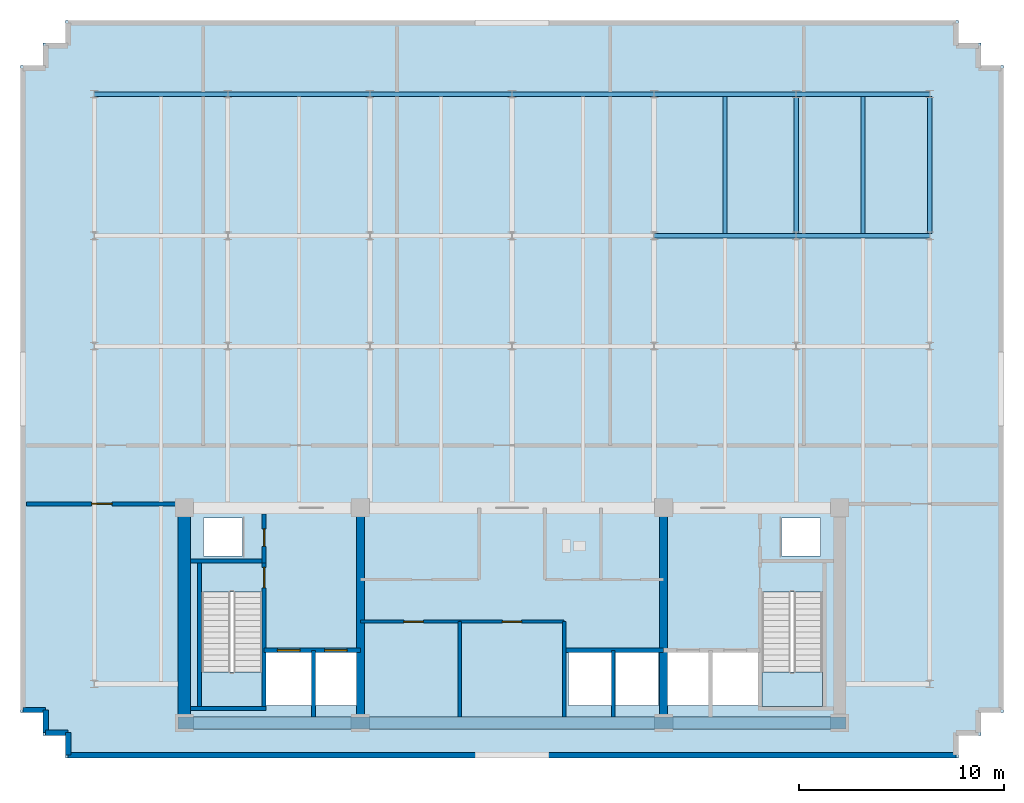
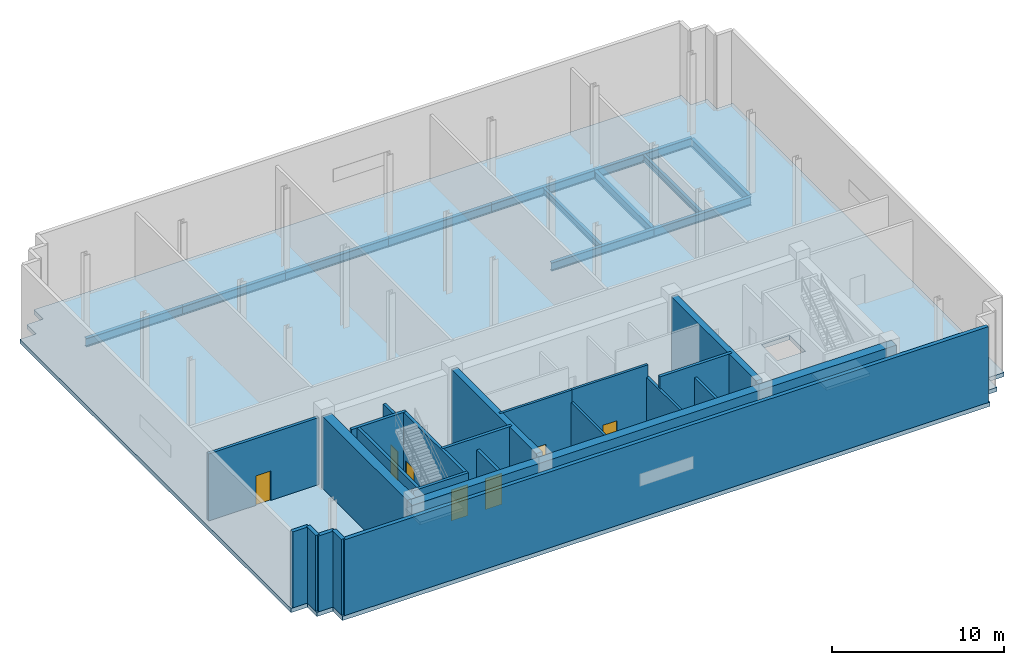
# One storey, part 2 of 7: 23 walls, 12 beams, 7 doors, 3 slabs, 7 openings, 2 elements without a shape of their own.
"""IFC4 building model written with IfcOpenShell, lengths in metres."""

import ifcopenshell
import ifcopenshell.guid

model = None  # the IFC model being written
_history = None  # IfcOwnerHistory: only IFC2X3 demands one
_inside = {}  # id of a spatial element -> (the spatial element, [elements in it])
_under = {}  # id of a project, library or spatial element -> (it, [spatial elements below it])
_declared = {}  # id of a project -> (the project, [libraries it declares])
_typed = {}  # id of a type object -> (the type object, [elements of that type])
_made_of = {}  # id of a material, layer set ... -> (it, [elements and type objects made of it])


def new_model(schema):
    """Start an empty IFC model of exactly this schema.

    Asked for "IFC4X3", IfcOpenShell would pick the latest addendum, in which some entities
    have other attributes; the version numbers below select the first issue.
    IFC2X3 requires an IfcOwnerHistory on every rooted entity: one is made here for all.
    """
    global model, _history
    if schema == "IFC4X3":
        model = ifcopenshell.file(schema_version=(4, 3, 0, 0))
    else:
        model = ifcopenshell.file(schema=schema)
    _inside.clear()
    _under.clear()
    _declared.clear()
    _typed.clear()
    _made_of.clear()
    _history = None
    if model.schema == "IFC2X3":
        org = make("IfcOrganization", Name="unknown")
        user = make(
            "IfcPersonAndOrganization",
            ThePerson=make("IfcPerson", FamilyName="unknown"),
            TheOrganization=org,
        )
        app = make(
            "IfcApplication",
            ApplicationDeveloper=org,
            Version="unknown",
            ApplicationFullName="unknown",
            ApplicationIdentifier="unknown",
        )
        _history = make(
            "IfcOwnerHistory",
            OwningUser=user,
            OwningApplication=app,
            ChangeAction="ADDED",
            CreationDate=0,
        )
    return model


def make(cls, **values):
    """One entity of the class cls with the attributes given. An attribute that is None is left unset."""
    return model.create_entity(
        cls, **{name: value for name, value in values.items() if value is not None}
    )


def rooted(cls, **values):
    """An entity with a GlobalId (a new one), such as an element, a storey or a relation."""
    return make(cls, GlobalId=ifcopenshell.guid.new(), OwnerHistory=_history, **values)


def si_unit(unit_type, name, prefix=None):
    """IfcSIUnit, for example si_unit("LENGTHUNIT", "METRE", prefix="MILLI")."""
    return make("IfcSIUnit", UnitType=unit_type, Prefix=prefix, Name=name)


def assignment(units):
    """IfcUnitAssignment: the units of a project."""
    return None if units is None else make("IfcUnitAssignment", Units=units)


def point(xyz):
    """IfcCartesianPoint."""
    return None if xyz is None else make("IfcCartesianPoint", Coordinates=xyz)


def direction(xyz):
    """IfcDirection."""
    return None if xyz is None else make("IfcDirection", DirectionRatios=xyz)


def frame(location, z_axis=None, x_axis=None):
    """IfcAxis2Placement3D, a coordinate frame: its origin and axes. An axis left out is left unset."""
    return make(
        "IfcAxis2Placement3D",
        Location=point(location),
        Axis=direction(z_axis),
        RefDirection=direction(x_axis),
    )


def frame_2d(location, x_axis=None):
    """IfcAxis2Placement2D, a coordinate frame in the plane: its origin and x axis."""
    return make(
        "IfcAxis2Placement2D", Location=point(location), RefDirection=direction(x_axis)
    )


def origin():
    """The frame at (0, 0, 0) with its axes left unset."""
    return frame((0.0, 0.0, 0.0))


def origin_2d():
    """The frame at (0, 0) in the plane with its x axis left unset."""
    return frame_2d((0.0, 0.0))


def place(relative_to, where):
    """IfcLocalPlacement: puts the frame where relative to a parent placement (None: the world)."""
    return make(
        "IfcLocalPlacement", PlacementRelTo=relative_to, RelativePlacement=where
    )


def context(
    kind, dimensions, precision=None, world=None, true_north=None, identifier=None
):
    """IfcGeometricRepresentationContext, for example the 3D "Model" context."""
    return make(
        "IfcGeometricRepresentationContext",
        ContextIdentifier=identifier,
        ContextType=kind,
        CoordinateSpaceDimension=dimensions,
        Precision=precision,
        WorldCoordinateSystem=world,
        TrueNorth=true_north,
    )


def subcontext(parent, identifier, kind, view, scale=None):
    """IfcGeometricRepresentationSubContext, for example "Body" below "Model"."""
    return make(
        "IfcGeometricRepresentationSubContext",
        ContextIdentifier=identifier,
        ContextType=kind,
        ParentContext=parent,
        TargetScale=scale,
        TargetView=view,
    )


def project(units=None, contexts=None):
    """IfcProject with its units and contexts."""
    return rooted(
        "IfcProject",
        Name="project",
        RepresentationContexts=contexts,
        UnitsInContext=assignment(units),
    )


def spatial(cls, under=None, at=None, **own):
    """A site, building, storey or space (cls), placed at a placement, below another one or the project."""
    s = rooted(cls, ObjectPlacement=at, **own)
    if under is not None:
        _under.setdefault(under.id(), (under, []))[1].append(s)
    return s


def polyline(points):
    """IfcPolyline through the points."""
    return make("IfcPolyline", Points=[point(p) for p in points])


def profile(cls, at=None, kind="AREA", **sizes):
    """A parametric profile (cls). Its sizes go by their IFC names, for example OverallWidth=200.0."""
    return make(cls, ProfileType=kind, Position=at, **sizes)


def rectangle(**sizes):
    """IfcRectangleProfileDef."""
    return profile("IfcRectangleProfileDef", **sizes)


def i_section(**sizes):
    """IfcIShapeProfileDef."""
    return profile("IfcIShapeProfileDef", **sizes)


def outline(outer, holes=None, kind="AREA"):
    """IfcArbitraryClosedProfileDef: a profile drawn as a closed curve; with holes, ...WithVoids."""
    if holes is None:
        return make("IfcArbitraryClosedProfileDef", ProfileType=kind, OuterCurve=outer)
    return make(
        "IfcArbitraryProfileDefWithVoids",
        ProfileType=kind,
        OuterCurve=outer,
        InnerCurves=holes,
    )


def extrude(swept, where, along, depth):
    """IfcExtrudedAreaSolid: the profile swept, set in the frame where, extruded along a direction by depth."""
    return make(
        "IfcExtrudedAreaSolid",
        SweptArea=swept,
        Position=where,
        ExtrudedDirection=direction(along),
        Depth=depth,
    )


def shape(context_of_items, identifier, shape_type, items):
    """IfcShapeRepresentation: the items that make up one representation, for example the "Body"."""
    return make(
        "IfcShapeRepresentation",
        ContextOfItems=context_of_items,
        RepresentationIdentifier=identifier,
        RepresentationType=shape_type,
        Items=items,
    )


def material(Name=None, Category=None):
    """IfcMaterial."""
    return make("IfcMaterial", Name=Name, Category=Category)


def layer(
    of_material, thickness, ventilated=None, Name=None, Category=None, Priority=None
):
    """IfcMaterialLayer: one layer of a wall or slab, of a material (None: an air gap)."""
    return make(
        "IfcMaterialLayer",
        Material=of_material,
        LayerThickness=thickness,
        IsVentilated=ventilated,
        Name=Name,
        Category=Category,
        Priority=Priority,
    )


def layer_set(layers, Name=None):
    """IfcMaterialLayerSet."""
    return make("IfcMaterialLayerSet", MaterialLayers=layers, LayerSetName=Name)


def material_profile(
    of_material, cross_section, Name=None, Category=None, Priority=None
):
    """IfcMaterialProfile: a cross section and its material."""
    return make(
        "IfcMaterialProfile",
        Name=Name,
        Material=of_material,
        Profile=cross_section,
        Priority=Priority,
        Category=Category,
    )


def profile_set(profiles, Name=None, composite=None):
    """IfcMaterialProfileSet."""
    return make(
        "IfcMaterialProfileSet",
        Name=Name,
        MaterialProfiles=profiles,
        CompositeProfile=composite,
    )


def made_of(thing, what):
    """Note that an element or type object is made of a material, layer set ...; save() writes the relation."""
    if what is not None:
        _made_of.setdefault(what.id(), (what, []))[1].append(thing)
    return thing


def type_object(cls, material=None, **own):
    """A type object (cls), such as IfcWallType, which elements share."""
    return made_of(rooted(cls, **own), material)


def element(
    cls,
    number,
    at=None,
    inside=None,
    cuts=None,
    type_object=None,
    material=None,
    context=None,
    identifier="Body",
    shape_type=None,
    held_by="IfcProductDefinitionShape",
    body=None,
    shapes=None,
    **own,
):
    """One element of the class cls, such as IfcWall. Its Tag is "e" and its number.

    at: its placement. inside: the storey or other place that contains it. cuts: it is an
    opening in that element (IfcRelVoidsElement). A single representation is given by context,
    identifier, shape_type and body (its items); several are given by shapes. held_by: the class
    of the entity that holds the representations. save() writes the other relations.
    """
    e = rooted(cls, Tag="e%d" % number, ObjectPlacement=at, **own)
    if body is not None:
        shapes = [shape(context, identifier, shape_type, body)]
    if shapes is not None:
        e.Representation = make(held_by, Representations=shapes)
    if inside is not None:
        _inside.setdefault(inside.id(), (inside, []))[1].append(e)
    if cuts is not None:
        rooted(
            "IfcRelVoidsElement", RelatingBuildingElement=cuts, RelatedOpeningElement=e
        )
    if type_object is not None:
        _typed.setdefault(type_object.id(), (type_object, []))[1].append(e)
    return made_of(e, material)


def fill(opening, filler):
    """IfcRelFillsElement: the door or window that sits in an opening."""
    return rooted(
        "IfcRelFillsElement",
        RelatingOpeningElement=opening,
        RelatedBuildingElement=filler,
    )


def aggregate(whole, parts):
    """IfcRelAggregates: a whole, such as a stair, and the parts it consists of."""
    return rooted("IfcRelAggregates", RelatingObject=whole, RelatedObjects=parts)


def save(model, path):
    """Write the relations noted so far, then the file.

    IfcRelAggregates (storeys below a building ...), IfcRelContainedInSpatialStructure (elements
    in a storey), IfcRelDefinesByType, IfcRelAssociatesMaterial and IfcRelDeclares: one each for
    every whole, place, type object, material and project.
    """
    for whole, parts in _under.values():
        aggregate(whole, parts)
    for where, things in _inside.values():
        rooted(
            "IfcRelContainedInSpatialStructure",
            RelatedElements=things,
            RelatingStructure=where,
        )
    for kind, things in _typed.values():
        rooted("IfcRelDefinesByType", RelatedObjects=things, RelatingType=kind)
    for what, things in _made_of.values():
        rooted("IfcRelAssociatesMaterial", RelatedObjects=things, RelatingMaterial=what)
    for by, libraries in _declared.values():
        rooted("IfcRelDeclares", RelatingContext=by, RelatedDefinitions=libraries)
    model.write(path)


model = new_model("IFC4")

# Units and contexts
model_context = context("Model", 3, precision=1e-05, world=origin(), true_north=direction((0.0, 1.0)))
body_context = subcontext(model_context, "Body", "Model", "MODEL_VIEW")
ifc_project = project(units=[si_unit("LENGTHUNIT", "METRE"), si_unit("AREAUNIT", "SQUARE_METRE"), si_unit("VOLUMEUNIT", "CUBIC_METRE"), si_unit("PLANEANGLEUNIT", "RADIAN"), si_unit("MASSUNIT", "GRAM", prefix="KILO")], contexts=[model_context])

# Site, building, storey
site_placement = place(None, origin())
site = spatial("IfcSite", under=ifc_project, at=site_placement, CompositionType="ELEMENT")
building_placement = place(site_placement, origin())
building = spatial("IfcBuilding", under=site, at=building_placement, Name="Solmavex Isthmus Hotel", CompositionType="ELEMENT")
storey_placement = place(building_placement, frame((0.0, 0.0, 291.300048828125)))
storey = spatial("IfcBuildingStorey", under=building, at=storey_placement, Name="L79", CompositionType="ELEMENT", Elevation=291.300048828125)

# Beams
ifc_material_1 = material(Name="Steel ASTM A992 Grade 50", Category="steel")
ifc_material_profile_1 = material_profile(ifc_material_1, i_section(OverallWidth=0.1904296875, OverallDepth=0.456787109375, WebThickness=0.009033203125, FlangeThickness=0.014404296875, FilletRadius=0.0126953125, at=origin_2d()), Name="W18X50")
ifc_profile_set_1 = profile_set([ifc_material_profile_1], Name="Steel ASTM A992 Grade 50")
beam_type_1 = type_object("IfcBeamType", Name="BM-BJ-W18X50", PredefinedType="JOIST", material=ifc_profile_set_1)
for number, where, z_axis, x_axis, name in (
    (1, (10.404052734375, 10.90185546875, -0.528564453125), (0.0, 1.0, 0.0), (-1.0, 0.0, 0.0), "Secondary Floor Joist L79-J15"),
    (2, (17.135986328125, 10.90185546875, -0.528564453125), (0.0, 1.0, 0.0), (-1.0, 0.0, 0.0), "Secondary Floor Joist L79-J18"),
):
    element("IfcBeam", number, at=place(storey_placement, frame(where, z_axis=z_axis, x_axis=x_axis)), inside=storey, type_object=beam_type_1, Name=name, PredefinedType="JOIST", context=body_context, shape_type="SweptSolid", body=[
        extrude(i_section(OverallWidth=0.1904296875, OverallDepth=0.456787109375, WebThickness=0.009033203125, FlangeThickness=0.014404296875, FilletRadius=0.0126953125, at=origin_2d()), origin(), (0.0, 0.0, 1.0), 6.682861328125),
    ])
ifc_material_profile_2 = material_profile(ifc_material_1, i_section(OverallWidth=0.227783203125, OverallDepth=0.602783203125, WebThickness=0.010498046875, FlangeThickness=0.014892578125, FilletRadius=0.01513671875, at=origin_2d()), Name="W24X68")
ifc_profile_set_2 = profile_set([ifc_material_profile_2], Name="Steel ASTM A992 Grade 50")
beam_type_2 = type_object("IfcBeamType", Name="BM-BM-W24X68", PredefinedType="BEAM", material=ifc_profile_set_2)
beam_1_placement = place(storey_placement, frame((6.93603515625, 10.7880859375, -0.601318359375), z_axis=(1.0, 0.0, 0.0), x_axis=(0.0, 1.0, 0.0)))
element("IfcBeam", 3, at=beam_1_placement, inside=storey, type_object=beam_type_2, Name="Floor Girder L79-UG13", PredefinedType="BEAM", context=body_context, shape_type="SweptSolid", body=[
    extrude(i_section(OverallWidth=0.227783203125, OverallDepth=0.602783203125, WebThickness=0.010498046875, FlangeThickness=0.014892578125, FilletRadius=0.01513671875, at=origin_2d()), origin(), (0.0, 0.0, 1.0), 6.93603515625),
])
beam_2_placement = place(storey_placement, frame((13.8720703125, 10.7880859375, -0.601318359375), z_axis=(1.0, 0.0, 0.0), x_axis=(0.0, 1.0, 0.0)))
element("IfcBeam", 4, at=beam_2_placement, inside=storey, type_object=beam_type_2, Name="Floor Girder L79-UG14", PredefinedType="BEAM", context=body_context, shape_type="SweptSolid", body=[
    extrude(i_section(OverallWidth=0.227783203125, OverallDepth=0.602783203125, WebThickness=0.010498046875, FlangeThickness=0.014892578125, FilletRadius=0.01513671875, at=origin_2d()), origin(), (0.0, 0.0, 1.0), 6.52783203125),
])
beam_3_placement = place(storey_placement, frame((13.8720703125, 10.90185546875, -0.601318359375), z_axis=(0.0, 1.0, 0.0), x_axis=(-1.0, 0.0, 0.0)))
element("IfcBeam", 5, at=beam_3_placement, inside=storey, type_object=beam_type_2, Name="Floor Beam L79-VG38", PredefinedType="BEAM", context=body_context, shape_type="SweptSolid", body=[
    extrude(i_section(OverallWidth=0.227783203125, OverallDepth=0.602783203125, WebThickness=0.010498046875, FlangeThickness=0.014892578125, FilletRadius=0.01513671875, at=origin_2d()), origin(), (0.0, 0.0, 1.0), 6.682861328125),
])
ifc_material_profile_3 = material_profile(ifc_material_1, i_section(OverallWidth=0.230224609375, OverallDepth=0.617431640625, WebThickness=0.01318359375, FlangeThickness=0.022216796875, FilletRadius=0.01513671875, at=origin_2d()), Name="W24X94")
ifc_profile_set_3 = profile_set([ifc_material_profile_3], Name="Steel ASTM A992 Grade 50")
beam_type_3 = type_object("IfcBeamType", Name="BM-SP-W24X94", PredefinedType="SPANDREL", material=ifc_profile_set_3)
beam_4_placement = place(storey_placement, frame((-20.39990234375, 17.699951171875, -0.60888671875), z_axis=(1.0, 0.0, 0.0), x_axis=(0.0, 1.0, 0.0)))
element("IfcBeam", 6, at=beam_4_placement, inside=storey, type_object=beam_type_3, Name="Floor Girder L79-UG15", PredefinedType="SPANDREL", context=body_context, shape_type="SweptSolid", body=[
    extrude(i_section(OverallWidth=0.230224609375, OverallDepth=0.617431640625, WebThickness=0.01318359375, FlangeThickness=0.022216796875, FilletRadius=0.01513671875, at=origin_2d()), origin(), (0.0, 0.0, 1.0), 6.52783203125),
])
for number, where, z_axis, x_axis, name in (
    (7, (-13.8720703125, 17.699951171875, -0.60888671875), (1.0, 0.0, 0.0), (0.0, 1.0, 0.0), "Floor Girder L79-UG16"),
    (8, (-6.93603515625, 17.699951171875, -0.60888671875), (1.0, 0.0, 0.0), (0.0, 1.0, 0.0), "Floor Girder L79-UG17"),
    (9, (0.0, 17.699951171875, -0.60888671875), (1.0, 0.0, 0.0), (0.0, 1.0, 0.0), "Floor Girder L79-UG18"),
    (10, (6.93603515625, 17.699951171875, -0.60888671875), (1.0, 0.0, 0.0), (0.0, 1.0, 0.0), "Floor Girder L79-UG19"),
):
    element("IfcBeam", number, at=place(storey_placement, frame(where, z_axis=z_axis, x_axis=x_axis)), inside=storey, type_object=beam_type_3, Name=name, PredefinedType="SPANDREL", context=body_context, shape_type="SweptSolid", body=[
        extrude(i_section(OverallWidth=0.230224609375, OverallDepth=0.617431640625, WebThickness=0.01318359375, FlangeThickness=0.022216796875, FilletRadius=0.01513671875, at=origin_2d()), origin(), (0.0, 0.0, 1.0), 6.93603515625),
    ])
beam_5_placement = place(storey_placement, frame((13.8720703125, 17.699951171875, -0.60888671875), z_axis=(1.0, 0.0, 0.0), x_axis=(0.0, 1.0, 0.0)))
element("IfcBeam", 11, at=beam_5_placement, inside=storey, type_object=beam_type_3, Name="Floor Girder L79-UG20", PredefinedType="SPANDREL", context=body_context, shape_type="SweptSolid", body=[
    extrude(i_section(OverallWidth=0.230224609375, OverallDepth=0.617431640625, WebThickness=0.01318359375, FlangeThickness=0.022216796875, FilletRadius=0.01513671875, at=origin_2d()), origin(), (0.0, 0.0, 1.0), 6.52783203125),
])
beam_6_placement = place(storey_placement, frame((20.39990234375, 10.90185546875, -0.60888671875), z_axis=(0.0, 1.0, 0.0), x_axis=(-1.0, 0.0, 0.0)))
element("IfcBeam", 12, at=beam_6_placement, inside=storey, type_object=beam_type_3, Name="Floor Beam L79-VG41", PredefinedType="SPANDREL", context=body_context, shape_type="SweptSolid", body=[
    extrude(i_section(OverallWidth=0.230224609375, OverallDepth=0.617431640625, WebThickness=0.01318359375, FlangeThickness=0.022216796875, FilletRadius=0.01513671875, at=origin_2d()), origin(), (0.0, 0.0, 1.0), 6.682861328125),
])

# Slab
ifc_material_2 = material(Name="Concrete C40/50", Category="concrete")
ifc_layer_1 = layer(ifc_material_2, 0.300048828125)
ifc_layer_set_1 = layer_set([ifc_layer_1], Name="Concrete C40/50")
slab_type_1 = type_object("IfcSlabType", Name="SLAB-CRN-300", PredefinedType="FLOOR", material=ifc_layer_set_1)
slab_1_placement = place(storey_placement, frame((0.0, 0.0, -0.300048828125)))
element("IfcSlab", 13, at=slab_1_placement, inside=storey, type_object=slab_type_1, Name="Tower Structural Floor Slab L79", PredefinedType="FLOOR", context=body_context, shape_type="SweptSolid", body=[
    extrude(outline(polyline([(-20.699951171875, -14.699951171875), (20.699951171875, -14.699951171875), (21.800048828125, -14.699951171875), (21.800048828125, -13.60009765625), (22.89990234375, -13.60009765625), (22.89990234375, -12.5), (24.0, -12.5), (24.0, -11.39990234375), (24.0, 18.0), (24.0, 19.10009765625), (22.89990234375, 19.10009765625), (22.89990234375, 20.199951171875), (21.800048828125, 20.199951171875), (21.800048828125, 21.300048828125), (20.699951171875, 21.300048828125), (-20.699951171875, 21.300048828125), (-21.800048828125, 21.300048828125), (-21.800048828125, 20.199951171875), (-22.89990234375, 20.199951171875), (-22.89990234375, 19.10009765625), (-24.0, 19.10009765625), (-24.0, 18.0), (-24.0, -11.39990234375), (-24.0, -12.5), (-22.89990234375, -12.5), (-22.89990234375, -13.60009765625), (-21.800048828125, -13.60009765625), (-21.800048828125, -14.699951171875), (-20.699951171875, -14.699951171875)]), holes=[polyline([(-15.14990234375, -6.617919921875), (-15.14990234375, -12.199951171875), (-12.199951171875, -12.199951171875), (-12.199951171875, -6.617919921875), (-15.14990234375, -6.617919921875)]), polyline([(12.199951171875, -6.617919921875), (12.199951171875, -12.199951171875), (15.14990234375, -12.199951171875), (15.14990234375, -6.617919921875), (12.199951171875, -6.617919921875)]), polyline([(-12.0, -12.14990234375), (-9.800048828125, -12.14990234375), (-9.800048828125, -9.550048828125), (-12.0, -9.550048828125), (-12.0, -12.14990234375)]), polyline([(9.800048828125, -12.14990234375), (12.0, -12.14990234375), (12.0, -9.550048828125), (9.800048828125, -9.550048828125), (9.800048828125, -12.14990234375)]), polyline([(-9.60009765625, -12.14990234375), (-7.60009765625, -12.14990234375), (-7.60009765625, -9.550048828125), (-9.60009765625, -9.550048828125), (-9.60009765625, -12.14990234375)]), polyline([(7.60009765625, -12.14990234375), (9.60009765625, -12.14990234375), (9.60009765625, -9.550048828125), (7.60009765625, -9.550048828125), (7.60009765625, -12.14990234375)]), polyline([(2.75, -12.14990234375), (4.85009765625, -12.14990234375), (4.85009765625, -9.550048828125), (2.75, -9.550048828125), (2.75, -12.14990234375)]), polyline([(5.050048828125, -12.14990234375), (7.14990234375, -12.14990234375), (7.14990234375, -9.550048828125), (5.050048828125, -9.550048828125), (5.050048828125, -12.14990234375)]), polyline([(-15.050048828125, -4.85009765625), (-13.14990234375, -4.85009765625), (-13.14990234375, -3.0), (-15.050048828125, -3.0), (-15.050048828125, -4.85009765625)]), polyline([(13.14990234375, -4.85009765625), (15.050048828125, -4.85009765625), (15.050048828125, -3.0), (13.14990234375, -3.0), (13.14990234375, -4.85009765625)])]), origin(), (0.0, 0.0, 1.0), 0.300048828125),
])

# Stair, slab
stair_type_1 = type_object("IfcStairType", Name="STR-ST-1", PredefinedType="HALF_TURN_STAIR", material=ifc_material_2)
stair_1_placement = place(storey_placement, origin())
stair_1 = element("IfcStair", 14, at=stair_1_placement, inside=storey, type_object=stair_type_1, Name="L79 Protected Exit Stair ST-1", PredefinedType="HALF_TURN_STAIR")
ifc_layer_2 = layer(ifc_material_2, 0.219970703125)
ifc_layer_set_2 = layer_set([ifc_layer_2], Name="Concrete C40/50")
slab_type_2 = type_object("IfcSlabType", Name="SLD-ST-1", PredefinedType="LANDING", material=ifc_layer_set_2)
slab_2_placement = place(storey_placement, frame((0.0, 0.0, 2.64990234375)))
slab_2 = element("IfcSlab", 15, at=slab_2_placement, type_object=slab_type_2, Name="ST-1 landing 1", PredefinedType="LANDING", context=body_context, shape_type="SweptSolid", body=[
    extrude(outline(polyline([(-15.14990234375, -10.52001953125), (-15.14990234375, -12.199951171875), (-12.199951171875, -12.199951171875), (-12.199951171875, -10.52001953125), (-15.14990234375, -10.52001953125)])), origin(), (0.0, 0.0, 1.0), 0.199951171875),
])
aggregate(stair_1, [slab_2])

stair_type_2 = type_object("IfcStairType", Name="STR-ST-2", PredefinedType="HALF_TURN_STAIR", material=ifc_material_2)
stair_2_placement = place(storey_placement, origin())
stair_2 = element("IfcStair", 16, at=stair_2_placement, inside=storey, type_object=stair_type_2, Name="L79 Protected Exit Stair ST-2", PredefinedType="HALF_TURN_STAIR")
ifc_layer_3 = layer(ifc_material_2, 0.219970703125)
ifc_layer_set_3 = layer_set([ifc_layer_3], Name="Concrete C40/50")
slab_type_3 = type_object("IfcSlabType", Name="SLD-ST-2", PredefinedType="LANDING", material=ifc_layer_set_3)
slab_3_placement = place(storey_placement, frame((0.0, 0.0, 2.64990234375)))
slab_3 = element("IfcSlab", 17, at=slab_3_placement, type_object=slab_type_3, Name="ST-2 landing 1", PredefinedType="LANDING", context=body_context, shape_type="SweptSolid", body=[
    extrude(outline(polyline([(12.199951171875, -10.52001953125), (12.199951171875, -12.199951171875), (15.14990234375, -12.199951171875), (15.14990234375, -10.52001953125), (12.199951171875, -10.52001953125)])), origin(), (0.0, 0.0, 1.0), 0.199951171875),
])
aggregate(stair_2, [slab_3])

# Walls
ifc_material_3 = material(Name="Precast Concrete C40/50", Category="concrete")
ifc_layer_4 = layer(ifc_material_3, 0.260009765625)
ifc_layer_set_4 = layer_set([ifc_layer_4], Name="Precast Concrete C40/50")
wall_type_1 = type_object("IfcWallType", Name="EW-CRN-260", PredefinedType="STANDARD", material=ifc_layer_set_4)
wall_1_placement = place(storey_placement, frame((21.669921875, -14.570068359375, 0.0), z_axis=(0.0, 0.0, 1.0), x_axis=(-1.0, 0.0, 0.0)))
element("IfcWall", 18, at=wall_1_placement, inside=storey, type_object=wall_type_1, Name="Plant Acoustic Louvre Enclosure Wall L79-01", PredefinedType="STANDARD", context=body_context, shape_type="SweptSolid", body=[
    extrude(rectangle(XDim=43.33984375, YDim=0.260009765625, at=frame_2d((21.669921875, 0.0))), origin(), (0.0, 0.0, 1.0), 5.39990234375),
])
for number, where, z_axis, x_axis, name in (
    (19, (-21.669921875, -14.570068359375, 0.0), (0.0, 0.0, 1.0), (0.0, 1.0, 0.0), "Plant Acoustic Louvre Enclosure Wall L79-02"),
    (20, (-21.669921875, -13.469970703125, 0.0), (0.0, 0.0, 1.0), (-1.0, 0.0, 0.0), "Plant Acoustic Louvre Enclosure Wall L79-03"),
):
    element("IfcWall", number, at=place(storey_placement, frame(where, z_axis=z_axis, x_axis=x_axis)), inside=storey, type_object=wall_type_1, Name=name, PredefinedType="STANDARD", context=body_context, shape_type="SweptSolid", body=[
        extrude(rectangle(XDim=1.10009765625, YDim=0.260009765625, at=frame_2d((0.550048828125, 0.0))), origin(), (0.0, 0.0, 1.0), 5.39990234375),
    ])
wall_2_placement = place(storey_placement, frame((-22.77001953125, -13.469970703125, 0.0), z_axis=(0.0, 0.0, 1.0), x_axis=(0.0, 1.0, 0.0)))
element("IfcWall", 21, at=wall_2_placement, inside=storey, type_object=wall_type_1, Name="Plant Acoustic Louvre Enclosure Wall L79-04", PredefinedType="STANDARD", context=body_context, shape_type="SweptSolid", body=[
    extrude(rectangle(XDim=1.099853515625, YDim=0.260009765625, at=frame_2d((0.5498046875, 0.0))), origin(), (0.0, 0.0, 1.0), 5.39990234375),
])
wall_3_placement = place(storey_placement, frame((-22.77001953125, -12.3701171875, 0.0), z_axis=(0.0, 0.0, 1.0), x_axis=(-1.0, 0.0, 0.0)))
element("IfcWall", 22, at=wall_3_placement, inside=storey, type_object=wall_type_1, Name="Plant Acoustic Louvre Enclosure Wall L79-05", PredefinedType="STANDARD", context=body_context, shape_type="SweptSolid", body=[
    extrude(rectangle(XDim=1.10009765625, YDim=0.260009765625, at=frame_2d((0.550048828125, 0.0))), origin(), (0.0, 0.0, 1.0), 5.39990234375),
])

# Wall, opening, door
ifc_material_4 = material(Name="Gypsum plasterboard lining", Category="gypsum")
ifc_layer_5 = layer(ifc_material_4, 0.159912109375)
ifc_layer_set_5 = layer_set([ifc_layer_5], Name="Gypsum plasterboard lining")
wall_type_2 = type_object("IfcWallType", Name="IW-COMP-160", PredefinedType="PARTITIONING", material=ifc_layer_set_5)
wall_4_placement = place(storey_placement, frame((-7.39990234375, -8.050048828125, 0.0), z_axis=(0.0, 0.0, 1.0), x_axis=(1.0, 0.0, 0.0)))
wall_4 = element("IfcWall", 23, at=wall_4_placement, inside=storey, type_object=wall_type_2, Name="Interior Partition Wall W-L79-REC-PLL-N", PredefinedType="PARTITIONING", context=body_context, shape_type="SweptSolid", body=[
    extrude(rectangle(XDim=4.849853515625, YDim=0.159912109375, at=frame_2d((2.4248046875, 0.0))), origin(), (0.0, 0.0, 1.0), 5.39990234375),
])
opening_1_placement = place(wall_4_placement, frame((2.125, 0.0, 0.0)))
opening_1 = element("IfcOpeningElement", 24, at=opening_1_placement, cuts=wall_4, Name="Opening ID-C095", PredefinedType="OPENING", context=body_context, shape_type="SweptSolid", body=[
    extrude(rectangle(XDim=0.949951171875, YDim=2.14990234375, at=frame_2d((0.47509765625, 1.074951171875))), frame((0.0, 0.08984375, 0.0), z_axis=(0.0, -1.0, 0.0), x_axis=(1.0, 0.0, 0.0)), (0.0, 0.0, 1.0), 0.179931640625),
])
ifc_material_5 = material(Name="Hardwood timber", Category="wood")
door_type_1 = type_object("IfcDoorType", Name="IDR-FD60-0950", OperationType="NOTDEFINED", PredefinedType="DOOR", material=ifc_material_5)
door_1_placement = place(opening_1_placement, origin())
door_1 = element("IfcDoor", 25, at=door_1_placement, inside=storey, type_object=door_type_1, Name="Linen Reserve Door L79", OperationType="SINGLE_SWING_LEFT", OverallHeight=2.14990234375, OverallWidth=0.949951171875, PredefinedType="DOOR", context=body_context, shape_type="SweptSolid", body=[
    extrude(rectangle(XDim=0.949951171875, YDim=2.14990234375, at=frame_2d((0.47509765625, 1.074951171875))), frame((0.0, 0.02490234375, 0.0), z_axis=(0.0, -1.0, 0.0), x_axis=(1.0, 0.0, 0.0)), (0.0, 0.0, 1.0), 0.050048828125),
])
fill(opening_1, door_1)

# Wall
wall_5_placement = place(storey_placement, frame((-2.550048828125, -12.699951171875, 0.0), z_axis=(0.0, 0.0, 1.0), x_axis=(0.0, 1.0, 0.0)))
element("IfcWall", 26, at=wall_5_placement, inside=storey, type_object=wall_type_2, Name="Interior Partition Wall W-L79-REC-PLL-E", PredefinedType="PARTITIONING", context=body_context, shape_type="SweptSolid", body=[
    extrude(rectangle(XDim=4.64990234375, YDim=0.159912109375, at=frame_2d((2.324951171875, 0.0))), origin(), (0.0, 0.0, 1.0), 4.534912109375),
])

# Wall, opening, door
wall_6_placement = place(storey_placement, frame((-2.550048828125, -8.050048828125, 0.0), z_axis=(0.0, 0.0, 1.0), x_axis=(1.0, 0.0, 0.0)))
wall_6 = element("IfcWall", 27, at=wall_6_placement, inside=storey, type_object=wall_type_2, Name="Interior Partition Wall W-L79-REC-PLM-N", PredefinedType="PARTITIONING", context=body_context, shape_type="SweptSolid", body=[
    extrude(rectangle(XDim=5.10009765625, YDim=0.159912109375, at=frame_2d((2.550048828125, 0.0))), origin(), (0.0, 0.0, 1.0), 5.39990234375),
])
opening_2_placement = place(wall_6_placement, frame((2.074951171875, 0.0, 0.0)))
opening_2 = element("IfcOpeningElement", 28, at=opening_2_placement, cuts=wall_6, Name="Opening ID-C095", PredefinedType="OPENING", context=body_context, shape_type="SweptSolid", body=[
    extrude(rectangle(XDim=0.949951171875, YDim=2.14990234375, at=frame_2d((0.47509765625, 1.074951171875))), frame((0.0, 0.08984375, 0.0), z_axis=(0.0, -1.0, 0.0), x_axis=(1.0, 0.0, 0.0)), (0.0, 0.0, 1.0), 0.179931640625),
])
door_2_placement = place(opening_2_placement, origin())
door_2 = element("IfcDoor", 29, at=door_2_placement, inside=storey, type_object=door_type_1, Name="Butler Store Door L79", OperationType="SINGLE_SWING_RIGHT", OverallHeight=2.14990234375, OverallWidth=0.949951171875, PredefinedType="DOOR", context=body_context, shape_type="SweptSolid", body=[
    extrude(rectangle(XDim=0.949951171875, YDim=2.14990234375, at=frame_2d((0.47509765625, 1.074951171875))), frame((0.0, 0.02490234375, 0.0), z_axis=(0.0, -1.0, 0.0), x_axis=(1.0, 0.0, 0.0)), (0.0, 0.0, 1.0), 0.050048828125),
])
fill(opening_2, door_2)

# Walls
wall_7_placement = place(storey_placement, frame((2.550048828125, -12.699951171875, 0.0), z_axis=(0.0, 0.0, 1.0), x_axis=(0.0, 1.0, 0.0)))
element("IfcWall", 30, at=wall_7_placement, inside=storey, type_object=wall_type_2, Name="Interior Partition Wall W-L79-REC-PLM-E", PredefinedType="PARTITIONING", context=body_context, shape_type="SweptSolid", body=[
    extrude(rectangle(XDim=4.64990234375, YDim=0.159912109375, at=frame_2d((2.324951171875, 0.0))), origin(), (0.0, 0.0, 1.0), 4.534912109375),
])
ifc_layer_6 = layer(ifc_material_2, 0.179931640625)
ifc_layer_set_6 = layer_set([ifc_layer_6], Name="Concrete C40/50")
wall_type_3 = type_object("IfcWallType", Name="IW-SHAFT-180", PredefinedType="PARTITIONING", material=ifc_layer_set_6)
wall_8_placement = place(storey_placement, frame((4.949951171875, -12.699951171875, 0.0), z_axis=(0.0, 0.0, 1.0), x_axis=(0.0, 1.0, 0.0)))
element("IfcWall", 31, at=wall_8_placement, inside=storey, type_object=wall_type_3, Name="Interior Partition Wall W-L79-SH-PLH-M", PredefinedType="PARTITIONING", context=body_context, shape_type="SweptSolid", body=[
    extrude(rectangle(XDim=3.25, YDim=0.179931640625, at=frame_2d((1.625, 0.0))), origin(), (0.0, 0.0, 1.0), 4.534912109375),
])

# Wall, opening, door
ifc_layer_7 = layer(ifc_material_2, 0.199951171875)
ifc_layer_set_7 = layer_set([ifc_layer_7], Name="Concrete C40/50")
wall_type_4 = type_object("IfcWallType", Name="IW-SHAFT-200", PredefinedType="PARTITIONING", material=ifc_layer_set_7)
wall_9_placement = place(storey_placement, frame((-12.10009765625, -5.199951171875, 0.0), z_axis=(0.0, 0.0, 1.0), x_axis=(0.0, 1.0, 0.0)))
wall_9 = element("IfcWall", 32, at=wall_9_placement, inside=storey, type_object=wall_type_4, Name="Interior Partition Wall W-L79-RSW-E", PredefinedType="PARTITIONING", context=body_context, shape_type="SweptSolid", body=[
    extrude(rectangle(XDim=2.39990234375, YDim=0.199951171875, at=frame_2d((1.199951171875, 0.0))), origin(), (0.0, 0.0, 1.0), 4.534912109375),
])
opening_3_placement = place(wall_9_placement, frame((0.824951171875, 0.0, 0.0)))
opening_3 = element("IfcOpeningElement", 33, at=opening_3_placement, cuts=wall_9, Name="Opening ID-R085", PredefinedType="OPENING", context=body_context, shape_type="SweptSolid", body=[
    extrude(rectangle(XDim=0.85009765625, YDim=2.050048828125, at=frame_2d((0.425048828125, 1.02490234375))), frame((0.0, 0.10986328125, 0.0), z_axis=(0.0, -1.0, 0.0), x_axis=(1.0, 0.0, 0.0)), (0.0, 0.0, 1.0), 0.219970703125),
])
ifc_material_6 = material(Name="Steel ASTM A500 Grade C", Category="steel")
door_type_2 = type_object("IfcDoorType", Name="IDR-FD60-0850", OperationType="NOTDEFINED", PredefinedType="DOOR", material=ifc_material_6)
door_3_placement = place(opening_3_placement, origin())
door_3 = element("IfcDoor", 34, at=door_3_placement, inside=storey, type_object=door_type_2, Name="Electrical Riser Door L79", OperationType="SINGLE_SWING_RIGHT", OverallHeight=2.050048828125, OverallWidth=0.85009765625, PredefinedType="DOOR", context=body_context, shape_type="SweptSolid", body=[
    extrude(rectangle(XDim=0.85009765625, YDim=2.050048828125, at=frame_2d((0.425048828125, 1.02490234375))), frame((0.0, 0.02490234375, 0.0), z_axis=(0.0, -1.0, 0.0), x_axis=(1.0, 0.0, 0.0)), (0.0, 0.0, 1.0), 0.050048828125),
])
fill(opening_3, door_3)

# Wall, openings, doors
wall_10_placement = place(storey_placement, frame((-12.10009765625, -9.449951171875, 0.0), z_axis=(0.0, 0.0, 1.0), x_axis=(1.0, 0.0, 0.0)))
wall_10 = element("IfcWall", 35, at=wall_10_placement, inside=storey, type_object=wall_type_4, Name="Interior Partition Wall W-L79-FFLW-S", PredefinedType="PARTITIONING", context=body_context, shape_type="SweptSolid", body=[
    extrude(rectangle(XDim=4.7001953125, YDim=0.199951171875, at=frame_2d((2.35009765625, 0.0))), origin(), (0.0, 0.0, 1.0), 5.39990234375),
])
opening_4_placement = place(wall_10_placement, frame((0.64990234375, 0.0, 0.0)))
opening_4 = element("IfcOpeningElement", 36, at=opening_4_placement, cuts=wall_10, Name="Opening LD-FF", PredefinedType="OPENING", context=body_context, shape_type="SweptSolid", body=[
    extrude(rectangle(XDim=1.10009765625, YDim=2.199951171875, at=frame_2d((0.550048828125, 1.10009765625))), frame((0.0, 0.10986328125, 0.0), z_axis=(0.0, -1.0, 0.0), x_axis=(1.0, 0.0, 0.0)), (0.0, 0.0, 1.0), 0.219970703125),
])
opening_5_placement = place(wall_10_placement, frame((2.949951171875, 0.0, 0.0)))
opening_5 = element("IfcOpeningElement", 37, at=opening_5_placement, cuts=wall_10, Name="Opening LD-SV", PredefinedType="OPENING", context=body_context, shape_type="SweptSolid", body=[
    extrude(rectangle(XDim=1.10009765625, YDim=2.199951171875, at=frame_2d((0.550048828125, 1.10009765625))), frame((0.0, 0.10986328125, 0.0), z_axis=(0.0, -1.0, 0.0), x_axis=(1.0, 0.0, 0.0)), (0.0, 0.0, 1.0), 0.219970703125),
])
ifc_material_7 = material(Name="Stainless steel 316", Category="steel")
door_type_3 = type_object("IfcDoorType", Name="LDR-FF-1100", OperationType="NOTDEFINED", PredefinedType="DOOR", material=ifc_material_7)
door_4_placement = place(opening_4_placement, origin())
door_4 = element("IfcDoor", 38, at=door_4_placement, inside=storey, type_object=door_type_3, Name="Lift Landing Door FFL-1 L79", OperationType="SLIDING_TO_LEFT", OverallHeight=2.199951171875, OverallWidth=1.10009765625, PredefinedType="DOOR", context=body_context, shape_type="SweptSolid", body=[
    extrude(rectangle(XDim=1.10009765625, YDim=2.199951171875, at=frame_2d((0.550048828125, 1.10009765625))), frame((0.0, 0.02490234375, 0.0), z_axis=(0.0, -1.0, 0.0), x_axis=(1.0, 0.0, 0.0)), (0.0, 0.0, 1.0), 0.050048828125),
])
fill(opening_4, door_4)
door_type_4 = type_object("IfcDoorType", Name="LDR-SV-1100", OperationType="NOTDEFINED", PredefinedType="DOOR", material=ifc_material_7)
door_5_placement = place(opening_5_placement, origin())
door_5 = element("IfcDoor", 39, at=door_5_placement, inside=storey, type_object=door_type_4, Name="Lift Landing Door SVL-1 L79", OperationType="SLIDING_TO_RIGHT", OverallHeight=2.199951171875, OverallWidth=1.10009765625, PredefinedType="DOOR", context=body_context, shape_type="SweptSolid", body=[
    extrude(rectangle(XDim=1.10009765625, YDim=2.199951171875, at=frame_2d((0.550048828125, 1.10009765625))), frame((0.0, 0.02490234375, 0.0), z_axis=(0.0, -1.0, 0.0), x_axis=(1.0, 0.0, 0.0)), (0.0, 0.0, 1.0), 0.050048828125),
])
fill(opening_5, door_5)

# Walls
wall_11_placement = place(storey_placement, frame((-9.699951171875, -12.699951171875, 0.0), z_axis=(0.0, 0.0, 1.0), x_axis=(0.0, 1.0, 0.0)))
element("IfcWall", 40, at=wall_11_placement, inside=storey, type_object=wall_type_4, Name="Interior Partition Wall W-L79-FFLW-M", PredefinedType="PARTITIONING", context=body_context, shape_type="SweptSolid", body=[
    extrude(rectangle(XDim=3.25, YDim=0.199951171875, at=frame_2d((1.625, 0.0))), origin(), (0.0, 0.0, 1.0), 4.534912109375),
])
wall_12_placement = place(storey_placement, frame((2.550048828125, -9.449951171875, 0.0), z_axis=(0.0, 0.0, 1.0), x_axis=(1.0, 0.0, 0.0)))
element("IfcWall", 41, at=wall_12_placement, inside=storey, type_object=wall_type_4, Name="Interior Partition Wall W-L79-SH-PLH", PredefinedType="PARTITIONING", context=body_context, shape_type="SweptSolid", body=[
    extrude(rectangle(XDim=4.849853515625, YDim=0.199951171875, at=frame_2d((2.4248046875, 0.0))), origin(), (0.0, 0.0, 1.0), 5.39990234375),
])

# Wall, opening, door
wall_13_placement = place(storey_placement, frame((-23.7099609375, -2.300048828125, 0.0), z_axis=(0.0, 0.0, 1.0), x_axis=(1.0, 0.0, 0.0)))
wall_13 = element("IfcWall", 42, at=wall_13_placement, inside=storey, type_object=wall_type_4, Name="Interior Partition Wall W-L79-PSW", PredefinedType="PARTITIONING", context=body_context, shape_type="SweptSolid", body=[
    extrude(rectangle(XDim=7.409912109375, YDim=0.199951171875, at=frame_2d((3.705078125, 0.0))), origin(), (0.0, 0.0, 1.0), 4.767333984375),
])
opening_6_placement = place(wall_13_placement, frame((3.18505859375, 0.0, 0.0)))
opening_6 = element("IfcOpeningElement", 43, at=opening_6_placement, cuts=wall_13, Name="Opening ID-F100", PredefinedType="OPENING", context=body_context, shape_type="SweptSolid", body=[
    extrude(rectangle(XDim=1.0, YDim=2.10009765625, at=frame_2d((0.5, 1.050048828125))), frame((0.0, 0.10986328125, 0.0), z_axis=(0.0, -1.0, 0.0), x_axis=(1.0, 0.0, 0.0)), (0.0, 0.0, 1.0), 0.219970703125),
])
door_type_5 = type_object("IfcDoorType", Name="IDR-FD90-1000", OperationType="NOTDEFINED", PredefinedType="DOOR", material=ifc_material_6)
door_6_placement = place(opening_6_placement, frame((1.0, 0.0, 0.0), z_axis=(0.0, 0.0, 1.0), x_axis=(-1.0, 0.0, 0.0)))
door_6 = element("IfcDoor", 44, at=door_6_placement, inside=storey, type_object=door_type_5, Name="Domestic Water Booster Plant Room Door L79", OperationType="SINGLE_SWING_LEFT", OverallHeight=2.10009765625, OverallWidth=1.0, PredefinedType="DOOR", context=body_context, shape_type="SweptSolid", body=[
    extrude(rectangle(XDim=1.0, YDim=2.10009765625, at=frame_2d((0.5, 1.050048828125))), frame((0.0, 0.02490234375, 0.0), z_axis=(0.0, -1.0, 0.0), x_axis=(1.0, 0.0, 0.0)), (0.0, 0.0, 1.0), 0.050048828125),
])
fill(opening_6, door_6)

# Walls
ifc_material_8 = material(Name="Concrete C50/60", Category="concrete")
ifc_layer_8 = layer(ifc_material_8, 0.39990234375)
ifc_layer_set_8 = layer_set([ifc_layer_8], Name="Concrete C50/60")
wall_type_5 = type_object("IfcWallType", Name="WALL-CW-400H", PredefinedType="SHEAR", material=ifc_layer_set_8)
for number, where, z_axis, x_axis, name in (
    (45, (-7.39990234375, -12.699951171875, 0.0), (0.0, 0.0, 1.0), (0.0, 1.0, 0.0), "Core Cross Shear Wall C1 L79"),
    (46, (7.39990234375, -12.699951171875, 0.0), (0.0, 0.0, 1.0), (0.0, 1.0, 0.0), "Core Cross Shear Wall C2 L79"),
):
    element("IfcWall", number, at=place(storey_placement, frame(where, z_axis=z_axis, x_axis=x_axis)), inside=storey, type_object=wall_type_5, Name=name, PredefinedType="SHEAR", context=body_context, shape_type="SweptSolid", body=[
        extrude(rectangle(XDim=9.89990234375, YDim=0.39990234375, at=frame_2d((4.949951171875, 0.0))), origin(), (0.0, 0.0, 1.0), 5.39990234375),
    ])
ifc_layer_9 = layer(ifc_material_8, 0.60009765625)
ifc_layer_set_9 = layer_set([ifc_layer_9], Name="Concrete C50/60")
wall_type_6 = type_object("IfcWallType", Name="WALL-CW-600", PredefinedType="SHEAR", material=ifc_layer_set_9)
wall_14_placement = place(storey_placement, frame((-16.300048828125, -13.0, 0.0), z_axis=(0.0, 0.0, 1.0), x_axis=(1.0, 0.0, 0.0)))
element("IfcWall", 47, at=wall_14_placement, inside=storey, type_object=wall_type_6, Name="Core Shear Wall South L79", PredefinedType="SHEAR", context=body_context, shape_type="SweptSolid", body=[
    extrude(rectangle(XDim=32.60009765625, YDim=0.60009765625, at=frame_2d((16.300048828125, 0.0))), origin(), (0.0, 0.0, 1.0), 5.119873046875),
])
wall_15_placement = place(storey_placement, frame((-16.0, -12.699951171875, 0.0), z_axis=(0.0, 0.0, 1.0), x_axis=(0.0, 1.0, 0.0)))
element("IfcWall", 48, at=wall_15_placement, inside=storey, type_object=wall_type_6, Name="Core Shear Wall West L79", PredefinedType="SHEAR", context=body_context, shape_type="SweptSolid", body=[
    extrude(rectangle(XDim=9.89990234375, YDim=0.60009765625, at=frame_2d((4.949951171875, 0.0))), origin(), (0.0, 0.0, 1.0), 5.119873046875),
])
ifc_layer_10 = layer(ifc_material_2, 0.199951171875)
ifc_layer_set_10 = layer_set([ifc_layer_10], Name="Concrete C40/50")
wall_type_7 = type_object("IfcWallType", Name="WALL-SW-200", PredefinedType="SOLIDWALL", material=ifc_layer_set_10)
for number, where, z_axis, x_axis, name in (
    (49, (-15.699951171875, -12.300048828125, 0.0), (0.0, 0.0, 1.0), (1.0, 0.0, 0.0), "Stairwell Structural Wall SW-L79-ST1-S"),
    (50, (-15.699951171875, -5.10009765625, 0.0), (0.0, 0.0, 1.0), (1.0, 0.0, 0.0), "Stairwell Structural Wall SW-L79-ST1-N"),
):
    element("IfcWall", number, at=place(storey_placement, frame(where, z_axis=z_axis, x_axis=x_axis)), inside=storey, type_object=wall_type_7, Name=name, PredefinedType="SOLIDWALL", context=body_context, shape_type="SweptSolid", body=[
        extrude(rectangle(XDim=3.699951171875, YDim=0.199951171875, at=frame_2d((1.85009765625, 0.0))), origin(), (0.0, 0.0, 1.0), 5.39990234375),
    ])
wall_16_placement = place(storey_placement, frame((-15.25, -12.199951171875, 0.0), z_axis=(0.0, 0.0, 1.0), x_axis=(0.0, 1.0, 0.0)))
element("IfcWall", 51, at=wall_16_placement, inside=storey, type_object=wall_type_7, Name="Stairwell Structural Wall SW-L79-ST1-W", PredefinedType="SOLIDWALL", context=body_context, shape_type="SweptSolid", body=[
    extrude(rectangle(XDim=7.0, YDim=0.199951171875, at=frame_2d((3.5, 0.0))), origin(), (0.0, 0.0, 1.0), 5.39990234375),
])

# Wall, opening, door
wall_17_placement = place(storey_placement, frame((-12.10009765625, -12.199951171875, 0.0), z_axis=(0.0, 0.0, 1.0), x_axis=(0.0, 1.0, 0.0)))
wall_17 = element("IfcWall", 52, at=wall_17_placement, inside=storey, type_object=wall_type_7, Name="Stairwell Structural Wall SW-L79-ST1-E", PredefinedType="SOLIDWALL", context=body_context, shape_type="SweptSolid", body=[
    extrude(rectangle(XDim=7.0, YDim=0.199951171875, at=frame_2d((3.5, 0.0))), origin(), (0.0, 0.0, 1.0), 5.39990234375),
])
opening_7_placement = place(wall_17_placement, frame((5.800048828125, 0.0, 0.0)))
opening_7 = element("IfcOpeningElement", 53, at=opening_7_placement, cuts=wall_17, Name="Opening ID-F100", PredefinedType="OPENING", context=body_context, shape_type="SweptSolid", body=[
    extrude(rectangle(XDim=1.0, YDim=2.10009765625, at=frame_2d((0.5, 1.050048828125))), frame((0.0, 0.10986328125, 0.0), z_axis=(0.0, -1.0, 0.0), x_axis=(1.0, 0.0, 0.0)), (0.0, 0.0, 1.0), 0.219970703125),
])
door_7_placement = place(opening_7_placement, frame((1.0, 0.0, 0.0), z_axis=(0.0, 0.0, 1.0), x_axis=(-1.0, 0.0, 0.0)))
door_7 = element("IfcDoor", 54, at=door_7_placement, inside=storey, type_object=door_type_5, Name="Stair ST-1 Fire Door L79", OperationType="SINGLE_SWING_LEFT", OverallHeight=2.10009765625, OverallWidth=1.0, PredefinedType="DOOR", context=body_context, shape_type="SweptSolid", body=[
    extrude(rectangle(XDim=1.0, YDim=2.10009765625, at=frame_2d((0.5, 1.050048828125))), frame((0.0, 0.02490234375, 0.0), z_axis=(0.0, -1.0, 0.0), x_axis=(1.0, 0.0, 0.0)), (0.0, 0.0, 1.0), 0.050048828125),
])
fill(opening_7, door_7)

save(model, "model.ifc")
